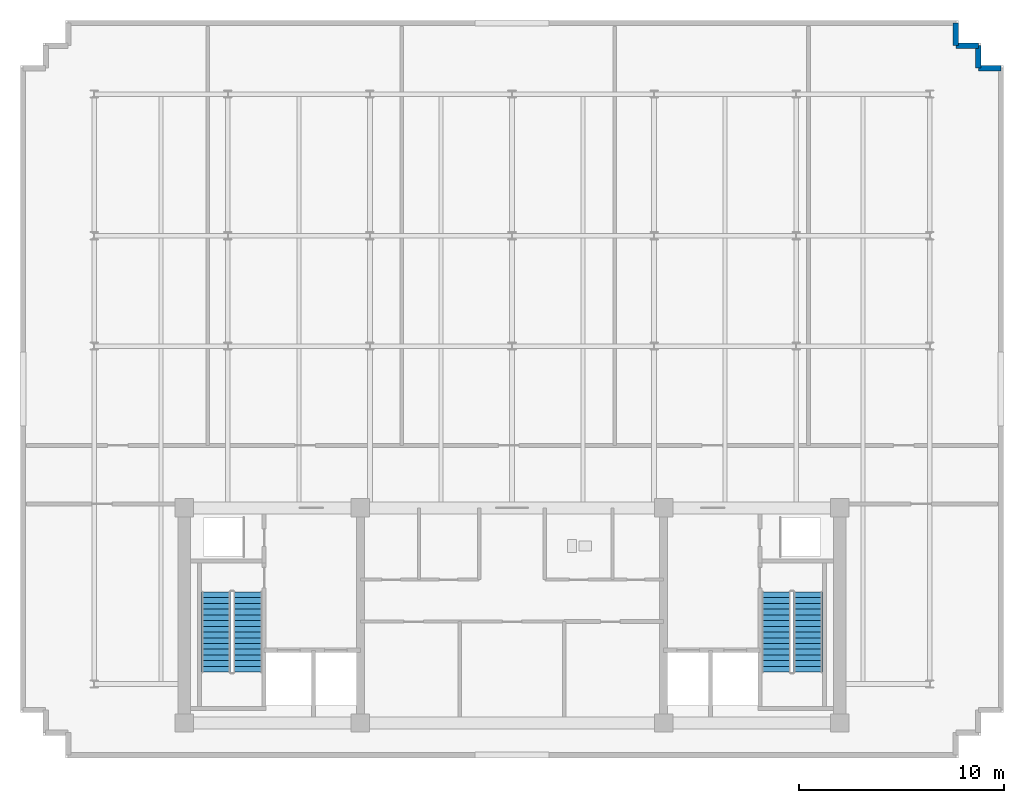
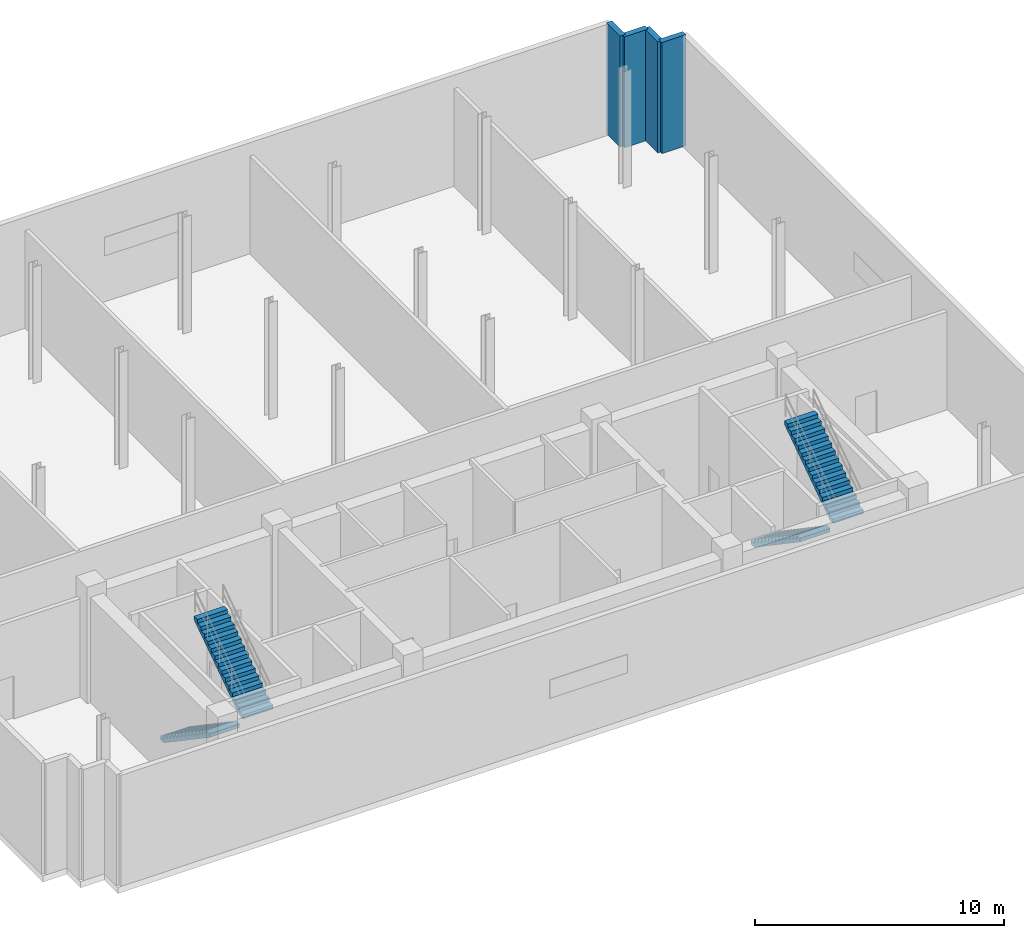
# One storey, part 4 of 7: 4 stair flights, 4 walls, 2 elements without a shape of their own.
"""IFC4 building model written with IfcOpenShell, lengths in metres."""

from ifc_helpers import new_model, si_unit, direction, frame, frame_2d, origin, place, context, subcontext, project, spatial, polyline, rectangle, outline, extrude, material, layer, layer_set, type_object, element, aggregate, save


model = new_model("IFC4")

# Units and contexts
model_context = context("Model", 3, precision=1e-05, world=origin(), true_north=direction((0.0, 1.0)))
body_context = subcontext(model_context, "Body", "Model", "MODEL_VIEW")
ifc_project = project(units=[si_unit("LENGTHUNIT", "METRE"), si_unit("AREAUNIT", "SQUARE_METRE"), si_unit("VOLUMEUNIT", "CUBIC_METRE"), si_unit("PLANEANGLEUNIT", "RADIAN"), si_unit("MASSUNIT", "GRAM", prefix="KILO")], contexts=[model_context])

# Site, building, storey
site_placement = place(None, origin())
site = spatial("IfcSite", under=ifc_project, at=site_placement, CompositionType="ELEMENT")
building_placement = place(site_placement, origin())
building = spatial("IfcBuilding", under=site, at=building_placement, Name="Solmavex Isthmus Hotel", CompositionType="ELEMENT")
storey_placement = place(building_placement, frame((0.0, 0.0, 302.699951171875)))
storey = spatial("IfcBuildingStorey", under=building, at=storey_placement, Name="L81", CompositionType="ELEMENT", Elevation=302.699951171875)

# Walls
ifc_material_1 = material(Name="Precast Concrete C40/50", Category="concrete")
ifc_layer = layer(ifc_material_1, 0.260009765625)
ifc_layer_set = layer_set([ifc_layer], Name="Precast Concrete C40/50")
wall_type = type_object("IfcWallType", Name="EW-CRN-260", PredefinedType="STANDARD", material=ifc_layer_set)
wall_placement = place(storey_placement, frame((21.669921875, 21.169921875, 0.0), z_axis=(0.0, 0.0, 1.0), x_axis=(0.0, -1.0, 0.0)))
element("IfcWall", 1, at=wall_placement, inside=storey, type_object=wall_type, Name="Plant Acoustic Louvre Enclosure Wall L81-12", PredefinedType="STANDARD", context=body_context, shape_type="SweptSolid", body=[
    extrude(rectangle(XDim=1.099853515625, YDim=0.260009765625, at=frame_2d((0.5498046875, 0.0))), origin(), (0.0, 0.0, 1.0), 5.43994140625),
])
for number, where, z_axis, x_axis, name in (
    (2, (21.669921875, 20.070068359375, 0.0), (0.0, 0.0, 1.0), (1.0, 0.0, 0.0), "Plant Acoustic Louvre Enclosure Wall L81-13"),
    (3, (22.77001953125, 20.070068359375, 0.0), (0.0, 0.0, 1.0), (0.0, -1.0, 0.0), "Plant Acoustic Louvre Enclosure Wall L81-14"),
    (4, (22.77001953125, 18.969970703125, 0.0), (0.0, 0.0, 1.0), (1.0, 0.0, 0.0), "Plant Acoustic Louvre Enclosure Wall L81-15"),
):
    element("IfcWall", number, at=place(storey_placement, frame(where, z_axis=z_axis, x_axis=x_axis)), inside=storey, type_object=wall_type, Name=name, PredefinedType="STANDARD", context=body_context, shape_type="SweptSolid", body=[
        extrude(rectangle(XDim=1.10009765625, YDim=0.260009765625, at=frame_2d((0.550048828125, 0.0))), origin(), (0.0, 0.0, 1.0), 5.43994140625),
    ])

# Stair, stair flights
ifc_material_2 = material(Name="Concrete C40/50", Category="concrete")
stair_type_1 = type_object("IfcStairType", Name="STR-ST-1", PredefinedType="HALF_TURN_STAIR", material=ifc_material_2)
stair_1_placement = place(storey_placement, origin())
stair_1 = element("IfcStair", 5, at=stair_1_placement, inside=storey, type_object=stair_type_1, Name="L81 Protected Exit Stair ST-1", PredefinedType="HALF_TURN_STAIR")
stair_flight_type_1 = type_object("IfcStairFlightType", Name="SFL-ST-1", PredefinedType="STRAIGHT", material=ifc_material_2)
stair_flight_1_placement = place(storey_placement, frame((-14.449951171875, -6.60009765625, 0.0), z_axis=(0.0, 0.0, 1.0), x_axis=(0.0, -1.0, 0.0)))
stair_flight_1 = element("IfcStairFlight", 6, at=stair_flight_1_placement, type_object=stair_flight_type_1, Name="ST-1 flight 1", NumberOfRisers=15, NumberOfTreads=14, PredefinedType="STRAIGHT", RiserHeight=0.19, TreadLength=0.28, context=body_context, shape_type="SweptSolid", body=[
    extrude(outline(polyline([(0.0, 0.0), (0.0, 0.18994140625), (0.280029296875, 0.18994140625), (0.280029296875, 0.3798828125), (0.56005859375, 0.3798828125), (0.56005859375, 0.570068359375), (0.840087890625, 0.570068359375), (0.840087890625, 0.760009765625), (1.1201171875, 0.760009765625), (1.1201171875, 0.949951171875), (1.39990234375, 0.949951171875), (1.39990234375, 1.139892578125), (1.679931640625, 1.139892578125), (1.679931640625, 1.330078125), (1.9599609375, 1.330078125), (1.9599609375, 1.52001953125), (2.239990234375, 1.52001953125), (2.239990234375, 1.7099609375), (2.52001953125, 1.7099609375), (2.52001953125, 1.89990234375), (2.800048828125, 1.89990234375), (2.800048828125, 2.090087890625), (3.080078125, 2.090087890625), (3.080078125, 2.280029296875), (3.360107421875, 2.280029296875), (3.360107421875, 2.469970703125), (3.639892578125, 2.469970703125), (3.639892578125, 2.659912109375), (3.919921875, 2.659912109375), (3.919921875, 2.85009765625), (3.919921875, 2.478759765625), (0.266845703125, 0.0), (0.0, 0.0)])), frame((0.0, 0.699951171875, 0.0), z_axis=(0.0, -1.0, 0.0), x_axis=(1.0, 0.0, 0.0)), (0.0, 0.0, 1.0), 1.39990234375),
])
stair_flight_2_placement = place(storey_placement, frame((-12.89990234375, -10.52001953125, 2.85009765625), z_axis=(0.0, 0.0, 1.0), x_axis=(0.0, 1.0, 0.0)))
stair_flight_2 = element("IfcStairFlight", 7, at=stair_flight_2_placement, type_object=stair_flight_type_1, Name="ST-1 flight 2", NumberOfRisers=15, NumberOfTreads=14, PredefinedType="STRAIGHT", RiserHeight=0.19, TreadLength=0.28, context=body_context, shape_type="SweptSolid", body=[
    extrude(outline(polyline([(0.0, 0.0), (0.0, 0.18994140625), (0.280029296875, 0.18994140625), (0.280029296875, 0.3798828125), (0.56005859375, 0.3798828125), (0.56005859375, 0.570068359375), (0.840087890625, 0.570068359375), (0.840087890625, 0.760009765625), (1.1201171875, 0.760009765625), (1.1201171875, 0.949951171875), (1.39990234375, 0.949951171875), (1.39990234375, 1.139892578125), (1.679931640625, 1.139892578125), (1.679931640625, 1.330078125), (1.9599609375, 1.330078125), (1.9599609375, 1.52001953125), (2.239990234375, 1.52001953125), (2.239990234375, 1.7099609375), (2.52001953125, 1.7099609375), (2.52001953125, 1.89990234375), (2.800048828125, 1.89990234375), (2.800048828125, 2.090087890625), (3.080078125, 2.090087890625), (3.080078125, 2.280029296875), (3.360107421875, 2.280029296875), (3.360107421875, 2.469970703125), (3.639892578125, 2.469970703125), (3.639892578125, 2.659912109375), (3.919921875, 2.659912109375), (3.919921875, 2.85009765625), (3.919921875, 2.478759765625), (0.266845703125, 0.0), (0.0, 0.0)])), frame((0.0, 0.699951171875, 0.0), z_axis=(0.0, -1.0, 0.0), x_axis=(1.0, 0.0, 0.0)), (0.0, 0.0, 1.0), 1.39990234375),
])
aggregate(stair_1, [stair_flight_1, stair_flight_2])

stair_type_2 = type_object("IfcStairType", Name="STR-ST-2", PredefinedType="HALF_TURN_STAIR", material=ifc_material_2)
stair_2_placement = place(storey_placement, origin())
stair_2 = element("IfcStair", 8, at=stair_2_placement, inside=storey, type_object=stair_type_2, Name="L81 Protected Exit Stair ST-2", PredefinedType="HALF_TURN_STAIR")
stair_flight_type_2 = type_object("IfcStairFlightType", Name="SFL-ST-2", PredefinedType="STRAIGHT", material=ifc_material_2)
stair_flight_3_placement = place(storey_placement, frame((12.89990234375, -6.60009765625, 0.0), z_axis=(0.0, 0.0, 1.0), x_axis=(0.0, -1.0, 0.0)))
stair_flight_3 = element("IfcStairFlight", 9, at=stair_flight_3_placement, type_object=stair_flight_type_2, Name="ST-2 flight 1", NumberOfRisers=15, NumberOfTreads=14, PredefinedType="STRAIGHT", RiserHeight=0.19, TreadLength=0.28, context=body_context, shape_type="SweptSolid", body=[
    extrude(outline(polyline([(0.0, 0.0), (0.0, 0.18994140625), (0.280029296875, 0.18994140625), (0.280029296875, 0.3798828125), (0.56005859375, 0.3798828125), (0.56005859375, 0.570068359375), (0.840087890625, 0.570068359375), (0.840087890625, 0.760009765625), (1.1201171875, 0.760009765625), (1.1201171875, 0.949951171875), (1.39990234375, 0.949951171875), (1.39990234375, 1.139892578125), (1.679931640625, 1.139892578125), (1.679931640625, 1.330078125), (1.9599609375, 1.330078125), (1.9599609375, 1.52001953125), (2.239990234375, 1.52001953125), (2.239990234375, 1.7099609375), (2.52001953125, 1.7099609375), (2.52001953125, 1.89990234375), (2.800048828125, 1.89990234375), (2.800048828125, 2.090087890625), (3.080078125, 2.090087890625), (3.080078125, 2.280029296875), (3.360107421875, 2.280029296875), (3.360107421875, 2.469970703125), (3.639892578125, 2.469970703125), (3.639892578125, 2.659912109375), (3.919921875, 2.659912109375), (3.919921875, 2.85009765625), (3.919921875, 2.478759765625), (0.266845703125, 0.0), (0.0, 0.0)])), frame((0.0, 0.699951171875, 0.0), z_axis=(0.0, -1.0, 0.0), x_axis=(1.0, 0.0, 0.0)), (0.0, 0.0, 1.0), 1.39990234375),
])
stair_flight_4_placement = place(storey_placement, frame((14.449951171875, -10.52001953125, 2.85009765625), z_axis=(0.0, 0.0, 1.0), x_axis=(0.0, 1.0, 0.0)))
stair_flight_4 = element("IfcStairFlight", 10, at=stair_flight_4_placement, type_object=stair_flight_type_2, Name="ST-2 flight 2", NumberOfRisers=15, NumberOfTreads=14, PredefinedType="STRAIGHT", RiserHeight=0.19, TreadLength=0.28, context=body_context, shape_type="SweptSolid", body=[
    extrude(outline(polyline([(0.0, 0.0), (0.0, 0.18994140625), (0.280029296875, 0.18994140625), (0.280029296875, 0.3798828125), (0.56005859375, 0.3798828125), (0.56005859375, 0.570068359375), (0.840087890625, 0.570068359375), (0.840087890625, 0.760009765625), (1.1201171875, 0.760009765625), (1.1201171875, 0.949951171875), (1.39990234375, 0.949951171875), (1.39990234375, 1.139892578125), (1.679931640625, 1.139892578125), (1.679931640625, 1.330078125), (1.9599609375, 1.330078125), (1.9599609375, 1.52001953125), (2.239990234375, 1.52001953125), (2.239990234375, 1.7099609375), (2.52001953125, 1.7099609375), (2.52001953125, 1.89990234375), (2.800048828125, 1.89990234375), (2.800048828125, 2.090087890625), (3.080078125, 2.090087890625), (3.080078125, 2.280029296875), (3.360107421875, 2.280029296875), (3.360107421875, 2.469970703125), (3.639892578125, 2.469970703125), (3.639892578125, 2.659912109375), (3.919921875, 2.659912109375), (3.919921875, 2.85009765625), (3.919921875, 2.478759765625), (0.266845703125, 0.0), (0.0, 0.0)])), frame((0.0, 0.699951171875, 0.0), z_axis=(0.0, -1.0, 0.0), x_axis=(1.0, 0.0, 0.0)), (0.0, 0.0, 1.0), 1.39990234375),
])
aggregate(stair_2, [stair_flight_3, stair_flight_4])

save(model, "model.ifc")
